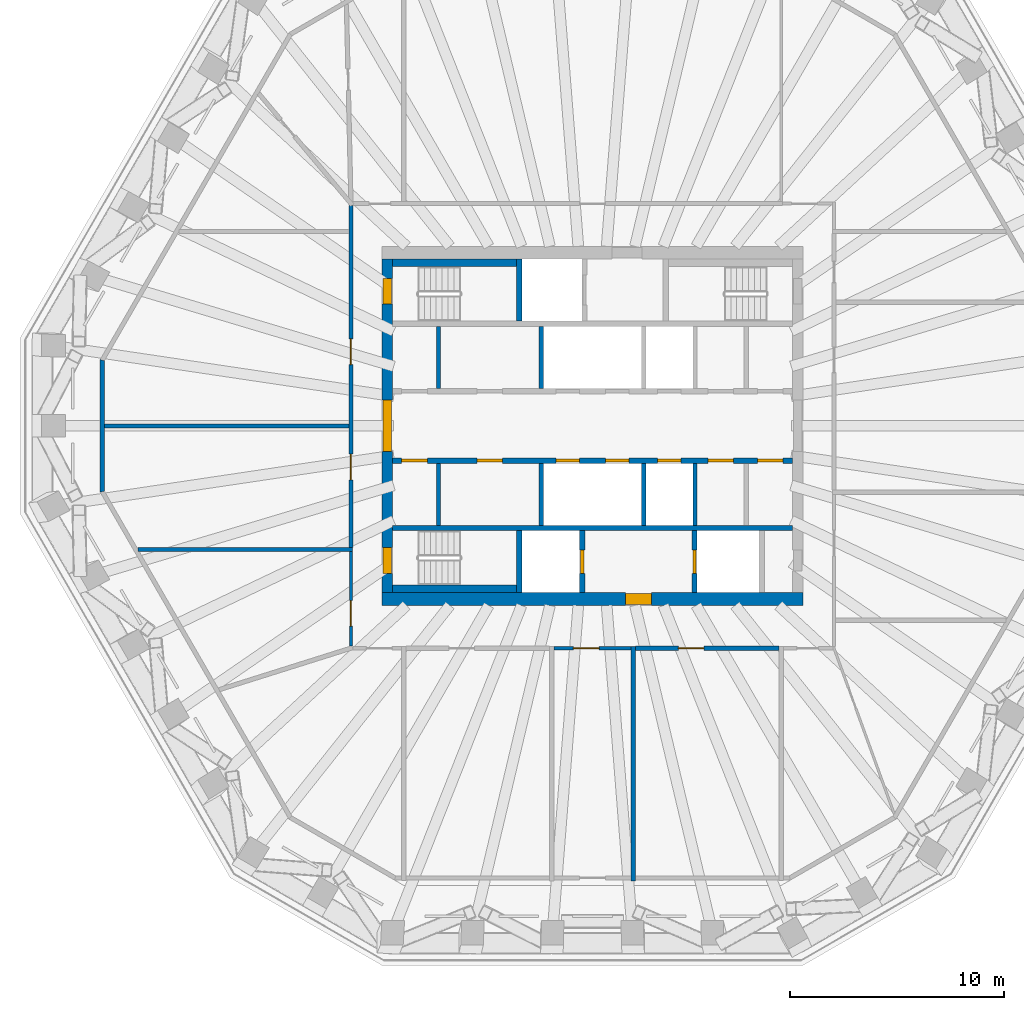
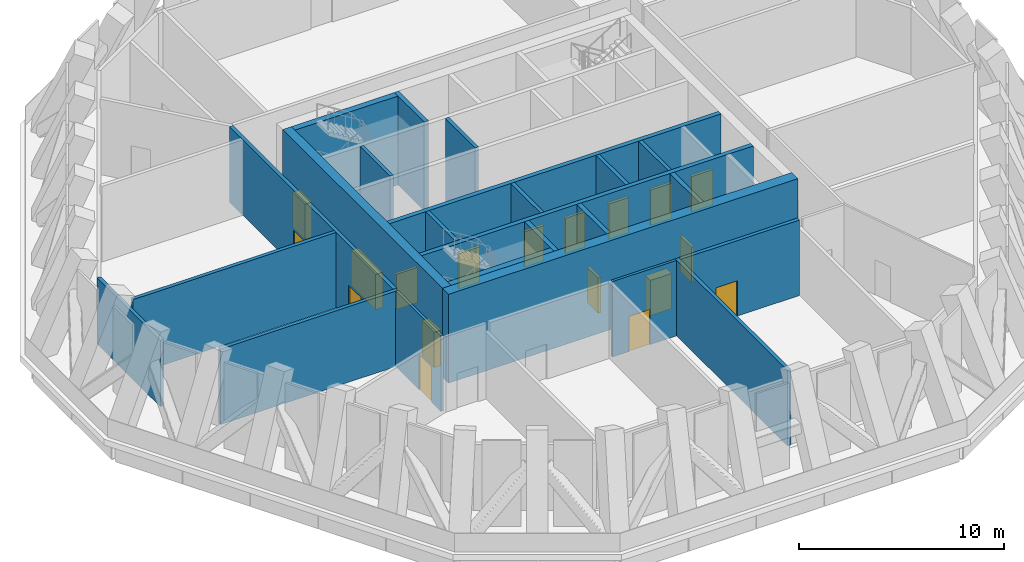
# One storey, part 4 of 8: 24 walls, 18 doors, 18 openings.
"""IFC4 building model written with IfcOpenShell, lengths in metres."""

from ifc_helpers import new_model, si_unit, direction, frame, frame_2d, origin, place, context, subcontext, project, spatial, polyline, rectangle, outline, extrude, material, layer, layer_set, type_object, element, fill, save


model = new_model("IFC4")

# Units and contexts
model_context = context("Model", 3, precision=1e-05, world=origin(), true_north=direction((0.0, 1.0)))
body_context = subcontext(model_context, "Body", "Model", "MODEL_VIEW")
ifc_project = project(units=[si_unit("LENGTHUNIT", "METRE"), si_unit("AREAUNIT", "SQUARE_METRE"), si_unit("VOLUMEUNIT", "CUBIC_METRE"), si_unit("PLANEANGLEUNIT", "RADIAN"), si_unit("MASSUNIT", "GRAM", prefix="KILO")], contexts=[model_context])

# Site, building, storey
site_placement = place(None, origin())
site = spatial("IfcSite", under=ifc_project, at=site_placement, CompositionType="ELEMENT")
building_placement = place(site_placement, origin())
building = spatial("IfcBuilding", under=site, at=building_placement, Name="Frailejon Research Tower", CompositionType="ELEMENT")
storey_placement = place(building_placement, frame((0.0, 0.0, 257.39990234375)))
storey = spatial("IfcBuildingStorey", under=building, at=storey_placement, Name="L56", CompositionType="ELEMENT", Elevation=257.39990234375)

# Wall, openings, doors
ifc_material_1 = material(Name="Concrete C50/60", Category="concrete")
ifc_layer_1 = layer(ifc_material_1, 0.5)
ifc_layer_set_1 = layer_set([ifc_layer_1], Name="Core shear wall 500 C50/60")
wall_type_1 = type_object("IfcWallType", Name="Core shear wall 500 C50/60", PredefinedType="SHEAR", material=ifc_layer_set_1)
wall_1_placement = place(storey_placement, frame((-9.60009765625, -7.800048828125, 0.0), z_axis=(0.0, 0.0, 1.0), x_axis=(0.0, 1.0, 0.0)))
wall_1 = element("IfcWall", 1, at=wall_1_placement, inside=storey, type_object=wall_type_1, Name="Core shear wall", PredefinedType="SHEAR", context=body_context, shape_type="SweptSolid", body=[
    extrude(rectangle(XDim=15.60009765625, YDim=0.5, at=frame_2d((7.800048828125, 0.0))), origin(), (0.0, 0.0, 1.0), 5.300048828125),
])
opening_1_placement = place(wall_1_placement, frame((6.60009765625, 0.0, 0.0)))
opening_1 = element("IfcOpeningElement", 2, at=opening_1_placement, cuts=wall_1, Name="Opening D2", PredefinedType="OPENING", context=body_context, shape_type="SweptSolid", body=[
    extrude(rectangle(XDim=2.39990234375, YDim=2.10009765625, at=frame_2d((1.199951171875, 1.050048828125))), frame((0.0, 0.260009765625, 0.0), z_axis=(0.0, -1.0, 0.0), x_axis=(1.0, 0.0, 0.0)), (0.0, 0.0, 1.0), 0.52001953125),
])
opening_2_placement = place(wall_1_placement, frame((13.5, 0.0, 0.0)))
opening_2 = element("IfcOpeningElement", 3, at=opening_2_placement, cuts=wall_1, Name="Opening D1", PredefinedType="OPENING", context=body_context, shape_type="SweptSolid", body=[
    extrude(rectangle(XDim=1.199951171875, YDim=2.10009765625, at=frame_2d((0.60009765625, 1.050048828125))), frame((0.0, 0.260009765625, 0.0), z_axis=(0.0, -1.0, 0.0), x_axis=(1.0, 0.0, 0.0)), (0.0, 0.0, 1.0), 0.52001953125),
])
opening_3_placement = place(wall_1_placement, frame((0.89990234375, 0.0, 0.0)))
opening_3 = element("IfcOpeningElement", 4, at=opening_3_placement, cuts=wall_1, Name="Opening D1", PredefinedType="OPENING", context=body_context, shape_type="SweptSolid", body=[
    extrude(rectangle(XDim=1.199951171875, YDim=2.10009765625, at=frame_2d((0.60009765625, 1.050048828125))), frame((0.0, 0.260009765625, 0.0), z_axis=(0.0, -1.0, 0.0), x_axis=(1.0, 0.0, 0.0)), (0.0, 0.0, 1.0), 0.52001953125),
])
ifc_material_2 = material(Name="Steel", Category="steel")
door_type_1 = type_object("IfcDoorType", Name="Lobby double door", OperationType="DOUBLE_DOOR_SINGLE_SWING", PredefinedType="DOOR", material=ifc_material_2)
door_1_placement = place(opening_1_placement, origin())
door_1 = element("IfcDoor", 5, at=door_1_placement, inside=storey, type_object=door_type_1, Name="Lobby door", OperationType="DOUBLE_DOOR_SINGLE_SWING", OverallHeight=2.10009765625, OverallWidth=2.39990234375, PredefinedType="DOOR", context=body_context, shape_type="SweptSolid", body=[
    extrude(rectangle(XDim=2.39990234375, YDim=2.10009765625, at=frame_2d((1.199951171875, 1.050048828125))), frame((0.0, 0.199951171875, 0.0), z_axis=(0.0, -1.0, 0.0), x_axis=(1.0, 0.0, 0.0)), (0.0, 0.0, 1.0), 0.39990234375),
])
fill(opening_1, door_1)
ifc_material_3 = material(Name="Steel", Category="steel")
door_type_2 = type_object("IfcDoorType", Name="Stair door", OperationType="SINGLE_SWING_LEFT", PredefinedType="DOOR", material=ifc_material_3)
door_2_placement = place(opening_2_placement, origin())
door_2 = element("IfcDoor", 6, at=door_2_placement, inside=storey, type_object=door_type_2, Name="Stair door ST1", OperationType="SINGLE_SWING_RIGHT", OverallHeight=2.10009765625, OverallWidth=1.199951171875, PredefinedType="DOOR", context=body_context, shape_type="SweptSolid", body=[
    extrude(rectangle(XDim=1.199951171875, YDim=2.10009765625, at=frame_2d((0.60009765625, 1.050048828125))), frame((0.0, 0.199951171875, 0.0), z_axis=(0.0, -1.0, 0.0), x_axis=(1.0, 0.0, 0.0)), (0.0, 0.0, 1.0), 0.39990234375),
])
fill(opening_2, door_2)
door_3_placement = place(opening_3_placement, origin())
door_3 = element("IfcDoor", 7, at=door_3_placement, inside=storey, type_object=door_type_2, Name="Stair door ST2", OperationType="SINGLE_SWING_LEFT", OverallHeight=2.10009765625, OverallWidth=1.199951171875, PredefinedType="DOOR", context=body_context, shape_type="SweptSolid", body=[
    extrude(rectangle(XDim=1.199951171875, YDim=2.10009765625, at=frame_2d((0.60009765625, 1.050048828125))), frame((0.0, 0.199951171875, 0.0), z_axis=(0.0, -1.0, 0.0), x_axis=(1.0, 0.0, 0.0)), (0.0, 0.0, 1.0), 0.39990234375),
])
fill(opening_3, door_3)

# Wall, opening, door
ifc_material_4 = material(Name="Concrete C50/60", Category="concrete")
ifc_layer_2 = layer(ifc_material_4, 0.60009765625)
ifc_layer_set_2 = layer_set([ifc_layer_2], Name="Core shear wall 600 C50/60")
wall_type_2 = type_object("IfcWallType", Name="Core shear wall 600 C50/60", PredefinedType="SHEAR", material=ifc_layer_set_2)
wall_2_placement = place(storey_placement, frame((-9.85009765625, -8.10009765625, 0.0), z_axis=(0.0, 0.0, 1.0), x_axis=(1.0, 0.0, 0.0)))
wall_2 = element("IfcWall", 8, at=wall_2_placement, inside=storey, type_object=wall_type_2, Name="Core shear wall", PredefinedType="SHEAR", context=body_context, shape_type="SweptSolid", body=[
    extrude(rectangle(XDim=19.7001953125, YDim=0.60009765625, at=frame_2d((9.85009765625, 0.0))), origin(), (0.0, 0.0, 1.0), 5.300048828125),
])
opening_4_placement = place(wall_2_placement, frame((11.39990234375, 0.0, 0.0)))
opening_4 = element("IfcOpeningElement", 9, at=opening_4_placement, cuts=wall_2, Name="Opening D3", PredefinedType="OPENING", context=body_context, shape_type="SweptSolid", body=[
    extrude(rectangle(XDim=1.199951171875, YDim=2.10009765625, at=frame_2d((0.60009765625, 1.050048828125))), frame((0.0, 0.31005859375, 0.0), z_axis=(0.0, -1.0, 0.0), x_axis=(1.0, 0.0, 0.0)), (0.0, 0.0, 1.0), 0.6201171875),
])
ifc_material_5 = material(Name="Steel", Category="steel")
door_type_3 = type_object("IfcDoorType", Name="Firefighting lobby door", OperationType="SINGLE_SWING_LEFT", PredefinedType="DOOR", material=ifc_material_5)
door_4_placement = place(opening_4_placement, origin())
door_4 = element("IfcDoor", 10, at=door_4_placement, inside=storey, type_object=door_type_3, Name="Firefighting lobby door", OperationType="SINGLE_SWING_LEFT", OverallHeight=2.10009765625, OverallWidth=1.199951171875, PredefinedType="DOOR", context=body_context, shape_type="SweptSolid", body=[
    extrude(rectangle(XDim=1.199951171875, YDim=2.10009765625, at=frame_2d((0.60009765625, 1.050048828125))), frame((0.0, 0.25, 0.0), z_axis=(0.0, -1.0, 0.0), x_axis=(1.0, 0.0, 0.0)), (0.0, 0.0, 1.0), 0.5),
])
fill(opening_4, door_4)

ifc_material_6 = material(Name="Gypsum board and masonry partition", Category="masonry")
ifc_layer_3 = layer(ifc_material_6, 0.14990234375)
ifc_layer_set_3 = layer_set([ifc_layer_3], Name="Corridor wall EI 60, gypsum on steel studs 150")
wall_type_3 = type_object("IfcWallType", Name="Corridor wall EI 60, gypsum on steel studs 150", PredefinedType="PARTITIONING", material=ifc_layer_set_3)
wall_3_placement = place(storey_placement, frame((-11.300048828125, -10.300048828125, 0.0), z_axis=(0.0, 0.0, 1.0), x_axis=(0.0, 1.0, 0.0)))
wall_3 = element("IfcWall", 11, at=wall_3_placement, inside=storey, type_object=wall_type_3, Name="T:IW:L56:004", PredefinedType="PARTITIONING", context=body_context, shape_type="SweptSolid", body=[
    extrude(rectangle(XDim=4.4140625, YDim=0.14990234375, at=frame_2d((2.20703125, 0.0))), origin(), (0.0, 0.0, 1.0), 4.5),
])
opening_5_placement = place(wall_3_placement, frame((0.928466796875, 0.0, 0.0)))
opening_5 = element("IfcOpeningElement", 12, at=opening_5_placement, cuts=wall_3, Name="Opening D1139", PredefinedType="OPENING", context=body_context, shape_type="SweptSolid", body=[
    extrude(rectangle(XDim=1.199951171875, YDim=2.10009765625, at=frame_2d((0.60009765625, 1.050048828125))), frame((0.0, 0.0849609375, 0.0), z_axis=(0.0, -1.0, 0.0), x_axis=(1.0, 0.0, 0.0)), (0.0, 0.0, 1.0), 0.169921875),
])
ifc_material_7 = material(Name="Timber door leaf", Category="wood")
door_type_4 = type_object("IfcDoorType", Name="Door single leaf, timber, steel frame 1200", OperationType="NOTDEFINED", PredefinedType="DOOR", material=ifc_material_7)
door_5_placement = place(opening_5_placement, origin())
door_5 = element("IfcDoor", 13, at=door_5_placement, inside=storey, type_object=door_type_4, Name="D1139", OperationType="DOUBLE_DOOR_SINGLE_SWING", OverallHeight=2.10009765625, OverallWidth=1.199951171875, PredefinedType="DOOR", context=body_context, shape_type="SweptSolid", body=[
    extrude(rectangle(XDim=1.199951171875, YDim=2.10009765625, at=frame_2d((0.60009765625, 1.050048828125))), frame((0.0, 0.02490234375, 0.0), z_axis=(0.0, -1.0, 0.0), x_axis=(1.0, 0.0, 0.0)), (0.0, 0.0, 1.0), 0.050048828125),
])
fill(opening_5, door_5)

wall_4_placement = place(storey_placement, frame((-1.810546875, -10.39990234375, 0.0), z_axis=(0.0, 0.0, 1.0), x_axis=(1.0, 0.0, 0.0)))
wall_4 = element("IfcWall", 14, at=wall_4_placement, inside=storey, type_object=wall_type_3, Name="T:IW:L56:006", PredefinedType="PARTITIONING", context=body_context, shape_type="SweptSolid", body=[
    extrude(rectangle(XDim=3.62109375, YDim=0.14990234375, at=frame_2d((1.810546875, 0.0))), origin(), (0.0, 0.0, 1.0), 4.5),
])
opening_6_placement = place(wall_4_placement, frame((0.92236328125, 0.0, 0.0)))
opening_6 = element("IfcOpeningElement", 15, at=opening_6_placement, cuts=wall_4, Name="Opening D1142", PredefinedType="OPENING", context=body_context, shape_type="SweptSolid", body=[
    extrude(rectangle(XDim=1.199951171875, YDim=2.10009765625, at=frame_2d((0.60009765625, 1.050048828125))), frame((0.0, 0.0849609375, 0.0), z_axis=(0.0, -1.0, 0.0), x_axis=(1.0, 0.0, 0.0)), (0.0, 0.0, 1.0), 0.169921875),
])
door_6_placement = place(opening_6_placement, origin())
door_6 = element("IfcDoor", 16, at=door_6_placement, inside=storey, type_object=door_type_4, Name="D1142", OperationType="DOUBLE_DOOR_SINGLE_SWING", OverallHeight=2.10009765625, OverallWidth=1.199951171875, PredefinedType="DOOR", context=body_context, shape_type="SweptSolid", body=[
    extrude(rectangle(XDim=1.199951171875, YDim=2.10009765625, at=frame_2d((0.60009765625, 1.050048828125))), frame((0.0, 0.02490234375, 0.0), z_axis=(0.0, -1.0, 0.0), x_axis=(1.0, 0.0, 0.0)), (0.0, 0.0, 1.0), 0.050048828125),
])
fill(opening_6, door_6)

# Wall
ifc_material_8 = material(Name="Aluminium louvre panel wall", Category="aluminium")
ifc_layer_4 = layer(ifc_material_8, 0.199951171875)
ifc_layer_set_4 = layer_set([ifc_layer_4], Name="Louvred plant wall 200")
wall_type_4 = type_object("IfcWallType", Name="Louvred plant wall 200", PredefinedType="SOLIDWALL", material=ifc_layer_set_4)
wall_5_placement = place(storey_placement, frame((-22.934326171875, 3.076416015625, 0.0), z_axis=(0.0, 0.0, 1.0), x_axis=(0.0, -1.0, 0.0)))
element("IfcWall", 17, at=wall_5_placement, inside=storey, type_object=wall_type_4, Name="Plant louvre wall L56", PredefinedType="SOLIDWALL", context=body_context, shape_type="SweptSolid", body=[
    extrude(outline(polyline([(-0.02685546875, -0.10009765625), (6.1796875, -0.10009765625), (6.1259765625, 0.10009765625), (0.02685546875, 0.10009765625), (-0.02685546875, -0.10009765625)])), origin(), (0.0, 0.0, 1.0), 3.9501953125),
])

# Wall, openings, doors
ifc_material_9 = material(Name="Gypsum board and masonry partition", Category="masonry")
ifc_layer_5 = layer(ifc_material_9, 0.199951171875)
ifc_layer_set_5 = layer_set([ifc_layer_5], Name="Plant enclosure wall, blockwork 200")
wall_type_5 = type_object("IfcWallType", Name="Plant enclosure wall, blockwork 200", PredefinedType="PARTITIONING", material=ifc_layer_set_5)
wall_6_placement = place(storey_placement, frame((-11.300048828125, -5.68603515625, 0.0), z_axis=(0.0, 0.0, 1.0), x_axis=(0.0, 1.0, 0.0)))
wall_6 = element("IfcWall", 18, at=wall_6_placement, inside=storey, type_object=wall_type_5, Name="T:IW:L56:012", PredefinedType="PARTITIONING", context=body_context, shape_type="SweptSolid", body=[
    extrude(rectangle(XDim=15.986083984375, YDim=0.199951171875, at=frame_2d((7.9931640625, 0.0))), origin(), (0.0, 0.0, 1.0), 4.5),
])
opening_7_placement = place(wall_6_placement, frame((8.554443359375, 0.0, 0.0)))
opening_7 = element("IfcOpeningElement", 19, at=opening_7_placement, cuts=wall_6, Name="Opening D1137", PredefinedType="OPENING", context=body_context, shape_type="SweptSolid", body=[
    extrude(rectangle(XDim=1.199951171875, YDim=2.10009765625, at=frame_2d((0.60009765625, 1.050048828125))), frame((0.0, 0.10986328125, 0.0), z_axis=(0.0, -1.0, 0.0), x_axis=(1.0, 0.0, 0.0)), (0.0, 0.0, 1.0), 0.219970703125),
])
opening_8_placement = place(wall_6_placement, frame((3.16455078125, 0.0, 0.0)))
opening_8 = element("IfcOpeningElement", 20, at=opening_8_placement, cuts=wall_6, Name="Opening D1138", PredefinedType="OPENING", context=body_context, shape_type="SweptSolid", body=[
    extrude(rectangle(XDim=1.199951171875, YDim=2.10009765625, at=frame_2d((0.60009765625, 1.050048828125))), frame((0.0, 0.10986328125, 0.0), z_axis=(0.0, -1.0, 0.0), x_axis=(1.0, 0.0, 0.0)), (0.0, 0.0, 1.0), 0.219970703125),
])
ifc_material_10 = material(Name="Steel door leaf", Category="steel")
door_type_5 = type_object("IfcDoorType", Name="Door plant room, steel 1200", OperationType="NOTDEFINED", PredefinedType="DOOR", material=ifc_material_10)
door_7_placement = place(opening_7_placement, origin())
door_7 = element("IfcDoor", 21, at=door_7_placement, inside=storey, type_object=door_type_5, Name="D1137", OperationType="DOUBLE_DOOR_SINGLE_SWING", OverallHeight=2.10009765625, OverallWidth=1.199951171875, PredefinedType="DOOR", context=body_context, shape_type="SweptSolid", body=[
    extrude(rectangle(XDim=1.199951171875, YDim=2.10009765625, at=frame_2d((0.60009765625, 1.050048828125))), frame((0.0, 0.02490234375, 0.0), z_axis=(0.0, -1.0, 0.0), x_axis=(1.0, 0.0, 0.0)), (0.0, 0.0, 1.0), 0.050048828125),
])
fill(opening_7, door_7)
door_8_placement = place(opening_8_placement, origin())
door_8 = element("IfcDoor", 22, at=door_8_placement, inside=storey, type_object=door_type_5, Name="D1138", OperationType="DOUBLE_DOOR_SINGLE_SWING", OverallHeight=2.10009765625, OverallWidth=1.199951171875, PredefinedType="DOOR", context=body_context, shape_type="SweptSolid", body=[
    extrude(rectangle(XDim=1.199951171875, YDim=2.10009765625, at=frame_2d((0.60009765625, 1.050048828125))), frame((0.0, 0.02490234375, 0.0), z_axis=(0.0, -1.0, 0.0), x_axis=(1.0, 0.0, 0.0)), (0.0, 0.0, 1.0), 0.050048828125),
])
fill(opening_8, door_8)

# Wall, opening, door
wall_7_placement = place(storey_placement, frame((2.010498046875, -10.39990234375, 0.0), z_axis=(0.0, 0.0, 1.0), x_axis=(1.0, 0.0, 0.0)))
wall_7 = element("IfcWall", 23, at=wall_7_placement, inside=storey, type_object=wall_type_5, Name="T:IW:L56:014", PredefinedType="PARTITIONING", context=body_context, shape_type="SweptSolid", body=[
    extrude(rectangle(XDim=6.71923828125, YDim=0.199951171875, at=frame_2d((3.359619140625, 0.0))), origin(), (0.0, 0.0, 1.0), 4.5),
])
opening_9_placement = place(wall_7_placement, frame((2.006591796875, 0.0, 0.0)))
opening_9 = element("IfcOpeningElement", 24, at=opening_9_placement, cuts=wall_7, Name="Opening D1143", PredefinedType="OPENING", context=body_context, shape_type="SweptSolid", body=[
    extrude(rectangle(XDim=1.199951171875, YDim=2.10009765625, at=frame_2d((0.60009765625, 1.050048828125))), frame((0.0, 0.10986328125, 0.0), z_axis=(0.0, -1.0, 0.0), x_axis=(1.0, 0.0, 0.0)), (0.0, 0.0, 1.0), 0.219970703125),
])
door_9_placement = place(opening_9_placement, origin())
door_9 = element("IfcDoor", 25, at=door_9_placement, inside=storey, type_object=door_type_5, Name="D1143", OperationType="DOUBLE_DOOR_SINGLE_SWING", OverallHeight=2.10009765625, OverallWidth=1.199951171875, PredefinedType="DOOR", context=body_context, shape_type="SweptSolid", body=[
    extrude(rectangle(XDim=1.199951171875, YDim=2.10009765625, at=frame_2d((0.60009765625, 1.050048828125))), frame((0.0, 0.02490234375, 0.0), z_axis=(0.0, -1.0, 0.0), x_axis=(1.0, 0.0, 0.0)), (0.0, 0.0, 1.0), 0.050048828125),
])
fill(opening_9, door_9)

# Walls
wall_8_placement = place(storey_placement, frame((-22.83447265625, 0.0, 0.0), z_axis=(0.0, 0.0, 1.0), x_axis=(1.0, 0.0, 0.0)))
element("IfcWall", 26, at=wall_8_placement, inside=storey, type_object=wall_type_5, Name="T:IW:L56:023", PredefinedType="PARTITIONING", context=body_context, shape_type="SweptSolid", body=[
    extrude(rectangle(XDim=11.4345703125, YDim=0.199951171875, at=frame_2d((5.71728515625, 0.0))), origin(), (0.0, 0.0, 1.0), 4.5),
])
wall_9_placement = place(storey_placement, frame((-21.254638671875, -5.785888671875, 0.0), z_axis=(0.0, 0.0, 1.0), x_axis=(1.0, 0.0, 0.0)))
element("IfcWall", 27, at=wall_9_placement, inside=storey, type_object=wall_type_5, Name="T:IW:L56:024", PredefinedType="PARTITIONING", context=body_context, shape_type="SweptSolid", body=[
    extrude(rectangle(XDim=10.029541015625, YDim=0.199951171875, at=frame_2d((5.0146484375, 0.0))), origin(), (0.0, 0.0, 1.0), 4.5),
])
wall_10_placement = place(storey_placement, frame((1.91064453125, -21.300048828125, 0.0), z_axis=(0.0, 0.0, 1.0), x_axis=(0.0, 1.0, 0.0)))
element("IfcWall", 28, at=wall_10_placement, inside=storey, type_object=wall_type_5, Name="T:IW:L56:027", PredefinedType="PARTITIONING", context=body_context, shape_type="SweptSolid", body=[
    extrude(rectangle(XDim=10.97509765625, YDim=0.199951171875, at=frame_2d((5.487548828125, 0.0))), origin(), (0.0, 0.0, 1.0), 4.5),
])
ifc_material_11 = material(Name="Concrete C50/60", Category="concrete")
ifc_layer_6 = layer(ifc_material_11, 0.199951171875)
ifc_layer_set_6 = layer_set([ifc_layer_6], Name="Shaft wall 200 C50/60")
wall_type_6 = type_object("IfcWallType", Name="Shaft wall 200 C50/60", PredefinedType="SOLIDWALL", material=ifc_layer_set_6)
for number, where, z_axis, x_axis, name in (
    (29, (-7.199951171875, 1.75, 0.0), (0.0, 0.0, 1.0), (0.0, 1.0, 0.0), "Shaft wall"),
    (30, (-2.39990234375, 1.75, 0.0), (0.0, 0.0, 1.0), (0.0, 1.0, 0.0), "Shaft wall"),
    (31, (-7.199951171875, -4.64990234375, 0.0), (0.0, 0.0, 1.0), (0.0, 1.0, 0.0), "Shaft wall"),
    (32, (-2.39990234375, -4.64990234375, 0.0), (0.0, 0.0, 1.0), (0.0, 1.0, 0.0), "Shaft wall"),
    (33, (2.39990234375, -4.64990234375, 0.0), (0.0, 0.0, 1.0), (0.0, 1.0, 0.0), "Shaft wall"),
    (34, (4.800048828125, -4.64990234375, 0.0), (0.0, 0.0, 1.0), (0.0, 1.0, 0.0), "Shaft wall"),
):
    element("IfcWall", number, at=place(storey_placement, frame(where, z_axis=z_axis, x_axis=x_axis)), inside=storey, type_object=wall_type_6, Name=name, PredefinedType="SOLIDWALL", context=body_context, shape_type="SweptSolid", body=[
        extrude(rectangle(XDim=2.89990234375, YDim=0.199951171875, at=frame_2d((1.449951171875, 0.0))), origin(), (0.0, 0.0, 1.0), 5.300048828125),
    ])

# Wall, openings, doors
ifc_material_12 = material(Name="Concrete C50/60", Category="concrete")
ifc_layer_7 = layer(ifc_material_12, 0.25)
ifc_layer_set_7 = layer_set([ifc_layer_7], Name="Shaft wall 250 C50/60")
wall_type_7 = type_object("IfcWallType", Name="Shaft wall 250 C50/60", PredefinedType="SOLIDWALL", material=ifc_layer_set_7)
wall_11_placement = place(storey_placement, frame((-9.35009765625, -1.625, 0.0), z_axis=(0.0, 0.0, 1.0), x_axis=(1.0, 0.0, 0.0)))
wall_11 = element("IfcWall", 35, at=wall_11_placement, inside=storey, type_object=wall_type_7, Name="Shaft wall", PredefinedType="SOLIDWALL", context=body_context, shape_type="SweptSolid", body=[
    extrude(rectangle(XDim=18.7001953125, YDim=0.25, at=frame_2d((9.35009765625, 0.0))), origin(), (0.0, 0.0, 1.0), 5.300048828125),
])
opening_10_placement = place(wall_11_placement, frame((7.64990234375, 0.0, 0.0)))
opening_10 = element("IfcOpeningElement", 36, at=opening_10_placement, cuts=wall_11, Name="Opening LD", PredefinedType="OPENING", context=body_context, shape_type="SweptSolid", body=[
    extrude(rectangle(XDim=1.10009765625, YDim=2.10009765625, at=frame_2d((0.550048828125, 1.050048828125))), frame((0.0, 0.135009765625, 0.0), z_axis=(0.0, -1.0, 0.0), x_axis=(1.0, 0.0, 0.0)), (0.0, 0.0, 1.0), 0.27001953125),
])
opening_11_placement = place(wall_11_placement, frame((9.949951171875, 0.0, 0.0)))
opening_11 = element("IfcOpeningElement", 37, at=opening_11_placement, cuts=wall_11, Name="Opening LD", PredefinedType="OPENING", context=body_context, shape_type="SweptSolid", body=[
    extrude(rectangle(XDim=1.10009765625, YDim=2.10009765625, at=frame_2d((0.550048828125, 1.050048828125))), frame((0.0, 0.135009765625, 0.0), z_axis=(0.0, -1.0, 0.0), x_axis=(1.0, 0.0, 0.0)), (0.0, 0.0, 1.0), 0.27001953125),
])
opening_12_placement = place(wall_11_placement, frame((12.39990234375, 0.0, 0.0)))
opening_12 = element("IfcOpeningElement", 38, at=opening_12_placement, cuts=wall_11, Name="Opening LD", PredefinedType="OPENING", context=body_context, shape_type="SweptSolid", body=[
    extrude(rectangle(XDim=1.10009765625, YDim=2.10009765625, at=frame_2d((0.550048828125, 1.050048828125))), frame((0.0, 0.135009765625, 0.0), z_axis=(0.0, -1.0, 0.0), x_axis=(1.0, 0.0, 0.0)), (0.0, 0.0, 1.0), 0.27001953125),
])
opening_13_placement = place(wall_11_placement, frame((0.425048828125, 0.0, 0.0)))
opening_13 = element("IfcOpeningElement", 39, at=opening_13_placement, cuts=wall_11, Name="Opening D6", PredefinedType="OPENING", context=body_context, shape_type="SweptSolid", body=[
    extrude(rectangle(XDim=1.199951171875, YDim=2.10009765625, at=frame_2d((0.60009765625, 1.050048828125))), frame((0.0, 0.135009765625, 0.0), z_axis=(0.0, -1.0, 0.0), x_axis=(1.0, 0.0, 0.0)), (0.0, 0.0, 1.0), 0.27001953125),
])
opening_14_placement = place(wall_11_placement, frame((3.949951171875, 0.0, 0.0)))
opening_14 = element("IfcOpeningElement", 40, at=opening_14_placement, cuts=wall_11, Name="Opening D6", PredefinedType="OPENING", context=body_context, shape_type="SweptSolid", body=[
    extrude(rectangle(XDim=1.199951171875, YDim=2.10009765625, at=frame_2d((0.60009765625, 1.050048828125))), frame((0.0, 0.135009765625, 0.0), z_axis=(0.0, -1.0, 0.0), x_axis=(1.0, 0.0, 0.0)), (0.0, 0.0, 1.0), 0.27001953125),
])
opening_15_placement = place(wall_11_placement, frame((14.75, 0.0, 0.0)))
opening_15 = element("IfcOpeningElement", 41, at=opening_15_placement, cuts=wall_11, Name="Opening D6", PredefinedType="OPENING", context=body_context, shape_type="SweptSolid", body=[
    extrude(rectangle(XDim=1.199951171875, YDim=2.10009765625, at=frame_2d((0.60009765625, 1.050048828125))), frame((0.0, 0.135009765625, 0.0), z_axis=(0.0, -1.0, 0.0), x_axis=(1.0, 0.0, 0.0)), (0.0, 0.0, 1.0), 0.27001953125),
])
opening_16_placement = place(wall_11_placement, frame((17.074951171875, 0.0, 0.0)))
opening_16 = element("IfcOpeningElement", 42, at=opening_16_placement, cuts=wall_11, Name="Opening D6", PredefinedType="OPENING", context=body_context, shape_type="SweptSolid", body=[
    extrude(rectangle(XDim=1.199951171875, YDim=2.10009765625, at=frame_2d((0.60009765625, 1.050048828125))), frame((0.0, 0.135009765625, 0.0), z_axis=(0.0, -1.0, 0.0), x_axis=(1.0, 0.0, 0.0)), (0.0, 0.0, 1.0), 0.27001953125),
])
ifc_material_13 = material(Name="Steel", Category="steel")
door_type_6 = type_object("IfcDoorType", Name="Lift landing door", OperationType="DOUBLE_DOOR_SLIDING", PredefinedType="DOOR", material=ifc_material_13)
door_10_placement = place(opening_10_placement, origin())
door_10 = element("IfcDoor", 43, at=door_10_placement, inside=storey, type_object=door_type_6, Name="Lift landing door", OperationType="DOUBLE_DOOR_SLIDING", OverallHeight=2.10009765625, OverallWidth=1.10009765625, PredefinedType="DOOR", context=body_context, shape_type="SweptSolid", body=[
    extrude(rectangle(XDim=1.10009765625, YDim=2.10009765625, at=frame_2d((0.550048828125, 1.050048828125))), frame((0.0, 0.074951171875, 0.0), z_axis=(0.0, -1.0, 0.0), x_axis=(1.0, 0.0, 0.0)), (0.0, 0.0, 1.0), 0.14990234375),
])
fill(opening_10, door_10)
door_11_placement = place(opening_11_placement, origin())
door_11 = element("IfcDoor", 44, at=door_11_placement, inside=storey, type_object=door_type_6, Name="Lift landing door", OperationType="DOUBLE_DOOR_SLIDING", OverallHeight=2.10009765625, OverallWidth=1.10009765625, PredefinedType="DOOR", context=body_context, shape_type="SweptSolid", body=[
    extrude(rectangle(XDim=1.10009765625, YDim=2.10009765625, at=frame_2d((0.550048828125, 1.050048828125))), frame((0.0, 0.074951171875, 0.0), z_axis=(0.0, -1.0, 0.0), x_axis=(1.0, 0.0, 0.0)), (0.0, 0.0, 1.0), 0.14990234375),
])
fill(opening_11, door_11)
door_12_placement = place(opening_12_placement, origin())
door_12 = element("IfcDoor", 45, at=door_12_placement, inside=storey, type_object=door_type_6, Name="Lift landing door", OperationType="DOUBLE_DOOR_SLIDING", OverallHeight=2.10009765625, OverallWidth=1.10009765625, PredefinedType="DOOR", context=body_context, shape_type="SweptSolid", body=[
    extrude(rectangle(XDim=1.10009765625, YDim=2.10009765625, at=frame_2d((0.550048828125, 1.050048828125))), frame((0.0, 0.074951171875, 0.0), z_axis=(0.0, -1.0, 0.0), x_axis=(1.0, 0.0, 0.0)), (0.0, 0.0, 1.0), 0.14990234375),
])
fill(opening_12, door_12)
ifc_material_14 = material(Name="Steel", Category="steel")
door_type_7 = type_object("IfcDoorType", Name="Plant door", OperationType="SINGLE_SWING_LEFT", PredefinedType="DOOR", material=ifc_material_14)
door_13_placement = place(opening_13_placement, origin())
door_13 = element("IfcDoor", 46, at=door_13_placement, inside=storey, type_object=door_type_7, Name="Room door", OperationType="SINGLE_SWING_RIGHT", OverallHeight=2.10009765625, OverallWidth=1.199951171875, PredefinedType="DOOR", context=body_context, shape_type="SweptSolid", body=[
    extrude(rectangle(XDim=1.199951171875, YDim=2.10009765625, at=frame_2d((0.60009765625, 1.050048828125))), frame((0.0, 0.074951171875, 0.0), z_axis=(0.0, -1.0, 0.0), x_axis=(1.0, 0.0, 0.0)), (0.0, 0.0, 1.0), 0.14990234375),
])
fill(opening_13, door_13)
door_14_placement = place(opening_14_placement, origin())
door_14 = element("IfcDoor", 47, at=door_14_placement, inside=storey, type_object=door_type_7, Name="Room door", OperationType="SINGLE_SWING_LEFT", OverallHeight=2.10009765625, OverallWidth=1.199951171875, PredefinedType="DOOR", context=body_context, shape_type="SweptSolid", body=[
    extrude(rectangle(XDim=1.199951171875, YDim=2.10009765625, at=frame_2d((0.60009765625, 1.050048828125))), frame((0.0, 0.074951171875, 0.0), z_axis=(0.0, -1.0, 0.0), x_axis=(1.0, 0.0, 0.0)), (0.0, 0.0, 1.0), 0.14990234375),
])
fill(opening_14, door_14)
door_15_placement = place(opening_15_placement, origin())
door_15 = element("IfcDoor", 48, at=door_15_placement, inside=storey, type_object=door_type_7, Name="Room door", OperationType="SINGLE_SWING_RIGHT", OverallHeight=2.10009765625, OverallWidth=1.199951171875, PredefinedType="DOOR", context=body_context, shape_type="SweptSolid", body=[
    extrude(rectangle(XDim=1.199951171875, YDim=2.10009765625, at=frame_2d((0.60009765625, 1.050048828125))), frame((0.0, 0.074951171875, 0.0), z_axis=(0.0, -1.0, 0.0), x_axis=(1.0, 0.0, 0.0)), (0.0, 0.0, 1.0), 0.14990234375),
])
fill(opening_15, door_15)
door_16_placement = place(opening_16_placement, origin())
door_16 = element("IfcDoor", 49, at=door_16_placement, inside=storey, type_object=door_type_7, Name="Room door", OperationType="SINGLE_SWING_LEFT", OverallHeight=2.10009765625, OverallWidth=1.199951171875, PredefinedType="DOOR", context=body_context, shape_type="SweptSolid", body=[
    extrude(rectangle(XDim=1.199951171875, YDim=2.10009765625, at=frame_2d((0.60009765625, 1.050048828125))), frame((0.0, 0.074951171875, 0.0), z_axis=(0.0, -1.0, 0.0), x_axis=(1.0, 0.0, 0.0)), (0.0, 0.0, 1.0), 0.14990234375),
])
fill(opening_16, door_16)

# Walls
wall_12_placement = place(storey_placement, frame((-9.35009765625, -4.77490234375, 0.0), z_axis=(0.0, 0.0, 1.0), x_axis=(1.0, 0.0, 0.0)))
element("IfcWall", 50, at=wall_12_placement, inside=storey, type_object=wall_type_7, Name="Shaft wall", PredefinedType="SOLIDWALL", context=body_context, shape_type="SweptSolid", body=[
    extrude(rectangle(XDim=18.7001953125, YDim=0.25, at=frame_2d((9.35009765625, 0.0))), origin(), (0.0, 0.0, 1.0), 5.300048828125),
])
for number, where, z_axis, x_axis, name in (
    (51, (-3.425048828125, 4.89990234375, 0.0), (0.0, 0.0, 1.0), (0.0, 1.0, 0.0), "Shaft wall"),
    (52, (-3.425048828125, -7.800048828125, 0.0), (0.0, 0.0, 1.0), (0.0, 1.0, 0.0), "Shaft wall"),
):
    element("IfcWall", number, at=place(storey_placement, frame(where, z_axis=z_axis, x_axis=x_axis)), inside=storey, type_object=wall_type_7, Name=name, PredefinedType="SOLIDWALL", context=body_context, shape_type="SweptSolid", body=[
        extrude(rectangle(XDim=2.900146484375, YDim=0.25, at=frame_2d((1.4501953125, 0.0))), origin(), (0.0, 0.0, 1.0), 5.300048828125),
    ])

# Wall, opening, door
wall_13_placement = place(storey_placement, frame((-0.47509765625, -7.800048828125, 0.0), z_axis=(0.0, 0.0, 1.0), x_axis=(0.0, 1.0, 0.0)))
wall_13 = element("IfcWall", 53, at=wall_13_placement, inside=storey, type_object=wall_type_7, Name="Shaft wall", PredefinedType="SOLIDWALL", context=body_context, shape_type="SweptSolid", body=[
    extrude(rectangle(XDim=2.900146484375, YDim=0.25, at=frame_2d((1.4501953125, 0.0))), origin(), (0.0, 0.0, 1.0), 5.300048828125),
])
opening_17_placement = place(wall_13_placement, frame((0.89990234375, 0.0, 0.0)))
opening_17 = element("IfcOpeningElement", 54, at=opening_17_placement, cuts=wall_13, Name="Opening LD", PredefinedType="OPENING", context=body_context, shape_type="SweptSolid", body=[
    extrude(rectangle(XDim=1.10009765625, YDim=2.10009765625, at=frame_2d((0.550048828125, 1.050048828125))), frame((0.0, 0.135009765625, 0.0), z_axis=(0.0, -1.0, 0.0), x_axis=(1.0, 0.0, 0.0)), (0.0, 0.0, 1.0), 0.27001953125),
])
door_17_placement = place(opening_17_placement, origin())
door_17 = element("IfcDoor", 55, at=door_17_placement, inside=storey, type_object=door_type_6, Name="Lift landing door", OperationType="DOUBLE_DOOR_SLIDING", OverallHeight=2.10009765625, OverallWidth=1.10009765625, PredefinedType="DOOR", context=body_context, shape_type="SweptSolid", body=[
    extrude(rectangle(XDim=1.10009765625, YDim=2.10009765625, at=frame_2d((0.550048828125, 1.050048828125))), frame((0.0, 0.074951171875, 0.0), z_axis=(0.0, -1.0, 0.0), x_axis=(1.0, 0.0, 0.0)), (0.0, 0.0, 1.0), 0.14990234375),
])
fill(opening_17, door_17)

wall_14_placement = place(storey_placement, frame((4.77490234375, -7.800048828125, 0.0), z_axis=(0.0, 0.0, 1.0), x_axis=(0.0, 1.0, 0.0)))
wall_14 = element("IfcWall", 56, at=wall_14_placement, inside=storey, type_object=wall_type_7, Name="Shaft wall", PredefinedType="SOLIDWALL", context=body_context, shape_type="SweptSolid", body=[
    extrude(rectangle(XDim=2.900146484375, YDim=0.25, at=frame_2d((1.4501953125, 0.0))), origin(), (0.0, 0.0, 1.0), 5.300048828125),
])
opening_18_placement = place(wall_14_placement, frame((0.89990234375, 0.0, 0.0)))
opening_18 = element("IfcOpeningElement", 57, at=opening_18_placement, cuts=wall_14, Name="Opening LD", PredefinedType="OPENING", context=body_context, shape_type="SweptSolid", body=[
    extrude(rectangle(XDim=1.10009765625, YDim=2.10009765625, at=frame_2d((0.550048828125, 1.050048828125))), frame((0.0, 0.135009765625, 0.0), z_axis=(0.0, -1.0, 0.0), x_axis=(1.0, 0.0, 0.0)), (0.0, 0.0, 1.0), 0.27001953125),
])
door_18_placement = place(opening_18_placement, origin())
door_18 = element("IfcDoor", 58, at=door_18_placement, inside=storey, type_object=door_type_6, Name="Lift landing door", OperationType="DOUBLE_DOOR_SLIDING", OverallHeight=2.10009765625, OverallWidth=1.10009765625, PredefinedType="DOOR", context=body_context, shape_type="SweptSolid", body=[
    extrude(rectangle(XDim=1.10009765625, YDim=2.10009765625, at=frame_2d((0.550048828125, 1.050048828125))), frame((0.0, 0.074951171875, 0.0), z_axis=(0.0, -1.0, 0.0), x_axis=(1.0, 0.0, 0.0)), (0.0, 0.0, 1.0), 0.14990234375),
])
fill(opening_18, door_18)

# Walls
ifc_material_15 = material(Name="Concrete C50/60", Category="concrete")
ifc_layer_8 = layer(ifc_material_15, 0.35009765625)
ifc_layer_set_8 = layer_set([ifc_layer_8], Name="Shaft wall 350 C50/60")
wall_type_8 = type_object("IfcWallType", Name="Shaft wall 350 C50/60", PredefinedType="SOLIDWALL", material=ifc_layer_set_8)
for number, where, z_axis, x_axis, name in (
    (59, (-9.35009765625, 7.625, 0.0), (0.0, 0.0, 1.0), (1.0, 0.0, 0.0), "Shaft wall"),
    (60, (-9.35009765625, -7.625, 0.0), (0.0, 0.0, 1.0), (1.0, 0.0, 0.0), "Shaft wall"),
):
    element("IfcWall", number, at=place(storey_placement, frame(where, z_axis=z_axis, x_axis=x_axis)), inside=storey, type_object=wall_type_8, Name=name, PredefinedType="SOLIDWALL", context=body_context, shape_type="SweptSolid", body=[
        extrude(rectangle(XDim=5.800048828125, YDim=0.35009765625, at=frame_2d((2.89990234375, 0.0))), origin(), (0.0, 0.0, 1.0), 5.300048828125),
    ])

save(model, "model.ifc")
